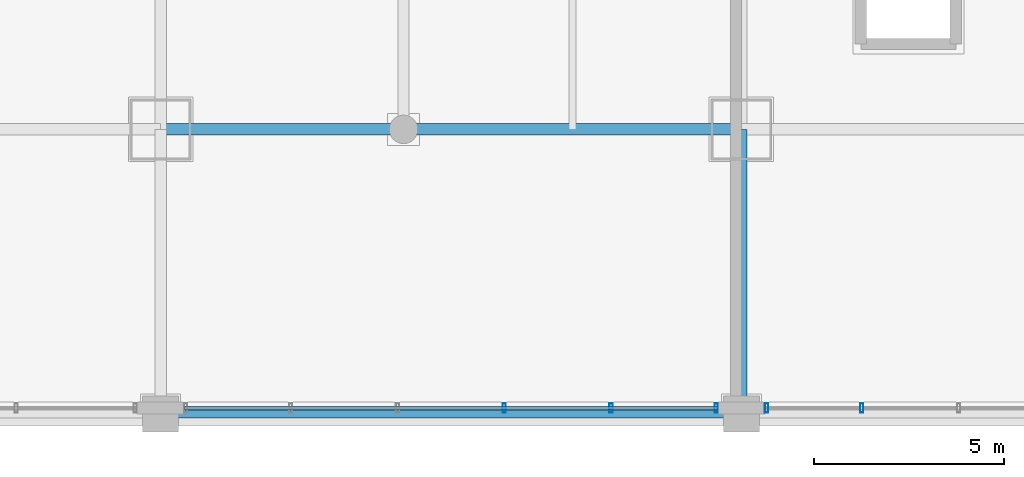
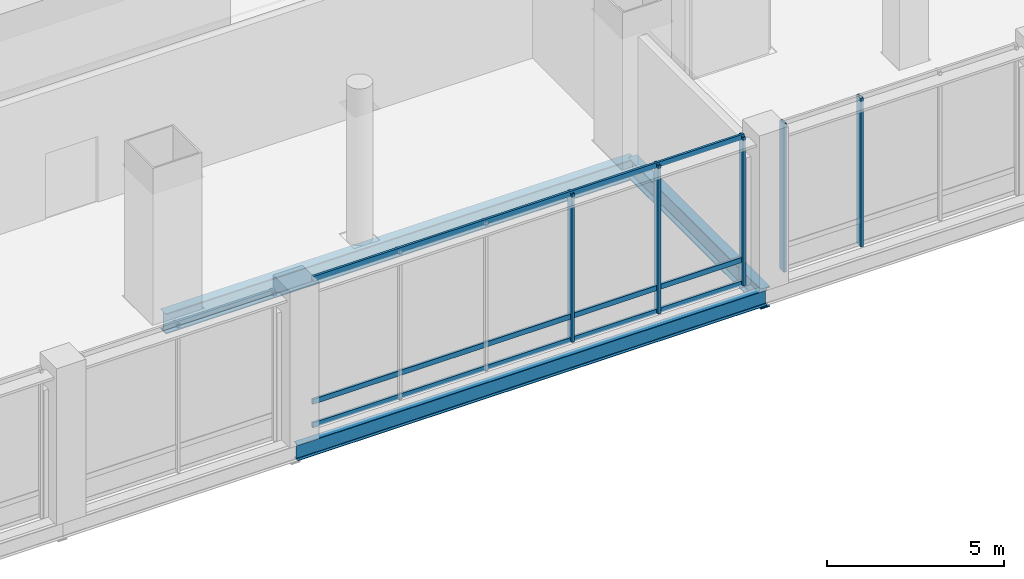
# One storey, part 7 of 39: 8 members, 3 beams, 2 elements without a shape of their own.
"""IFC4 building model written with IfcOpenShell, lengths in metres."""

from ifc_helpers import new_model, si_unit, direction, frame, origin, origin_2d, place, context, subcontext, project, spatial, hollow_rectangle, i_section, extrude, material, material_profile, profile_set, type_object, element, aggregate, save


model = new_model("IFC4")

# Units and contexts
model_context = context("Model", 3, precision=1e-05, world=origin(), true_north=direction((0.0, 1.0)))
body_context = subcontext(model_context, "Body", "Model", "MODEL_VIEW")
ifc_project = project(units=[si_unit("LENGTHUNIT", "METRE"), si_unit("AREAUNIT", "SQUARE_METRE"), si_unit("VOLUMEUNIT", "CUBIC_METRE"), si_unit("PLANEANGLEUNIT", "RADIAN"), si_unit("MASSUNIT", "GRAM", prefix="KILO")], contexts=[model_context])

# Site, building, storey
site_placement = place(None, origin())
site = spatial("IfcSite", under=ifc_project, at=site_placement, CompositionType="ELEMENT")
building_placement = place(site_placement, origin())
building = spatial("IfcBuilding", under=site, at=building_placement, Name="Punatoya Terracotta Tower", CompositionType="ELEMENT")
storey_placement = place(building_placement, frame((0.0, 0.0, 11.39990234375)))
storey = spatial("IfcBuildingStorey", under=building, at=storey_placement, Name="L02", CompositionType="ELEMENT", Elevation=11.39990234375)

# Beams
ifc_material_1 = material(Name="Steel S355", Category="steel")
ifc_material_profile_1 = material_profile(ifc_material_1, i_section(OverallWidth=0.300048828125, OverallDepth=0.699951171875, WebThickness=0.01708984375, FlangeThickness=0.031982421875, FilletRadius=0.01806640625, at=origin_2d()))
ifc_profile_set_1 = profile_set([ifc_material_profile_1], Name="Steel S355")
beam_type_1 = type_object("IfcBeamType", Name="BM-PRI-700", PredefinedType="BEAM", material=ifc_profile_set_1)
beam_1_placement = place(storey_placement, frame((3.800048828125, -17.5, -0.6298828125), z_axis=(1.0, 0.0, 0.0), x_axis=(0.0, 1.0, 0.0)))
element("IfcBeam", 1, at=beam_1_placement, inside=storey, type_object=beam_type_1, Name="BM-L02-RG-S3", PredefinedType="BEAM", context=body_context, shape_type="SweptSolid", body=[
    extrude(i_section(OverallWidth=0.300048828125, OverallDepth=0.699951171875, WebThickness=0.01708984375, FlangeThickness=0.031982421875, FilletRadius=0.01806640625, at=origin_2d()), origin(), (0.0, 0.0, 1.0), 15.300048828125),
])
beam_2_placement = place(storey_placement, frame((19.10009765625, -25.0, -0.6298828125), z_axis=(0.0, 1.0, 0.0), x_axis=(-1.0, 0.0, 0.0)))
element("IfcBeam", 2, at=beam_2_placement, inside=storey, type_object=beam_type_1, Name="BM-L02-M19E--25", PredefinedType="BEAM", context=body_context, shape_type="SweptSolid", body=[
    extrude(i_section(OverallWidth=0.300048828125, OverallDepth=0.699951171875, WebThickness=0.01708984375, FlangeThickness=0.031982421875, FilletRadius=0.01806640625, at=origin_2d()), origin(), (0.0, 0.0, 1.0), 7.5),
])
ifc_material_profile_2 = material_profile(ifc_material_1, i_section(OverallWidth=0.2099609375, OverallDepth=0.550048828125, WebThickness=0.010986328125, FlangeThickness=0.01708984375, FilletRadius=0.01806640625, at=origin_2d()))
ifc_profile_set_2 = profile_set([ifc_material_profile_2], Name="Steel S355")
beam_type_2 = type_object("IfcBeamType", Name="BM-SPN-550", PredefinedType="SPANDREL", material=ifc_profile_set_2)
beam_3_placement = place(storey_placement, frame((3.800048828125, -25.0, -0.554931640625), z_axis=(1.0, 0.0, 0.0), x_axis=(0.0, 1.0, 0.0)))
element("IfcBeam", 3, at=beam_3_placement, inside=storey, type_object=beam_type_2, Name="BM-L02-MIDA-3", PredefinedType="SPANDREL", context=body_context, shape_type="SweptSolid", body=[
    extrude(i_section(OverallWidth=0.2099609375, OverallDepth=0.550048828125, WebThickness=0.010986328125, FlangeThickness=0.01708984375, FilletRadius=0.01806640625, at=origin_2d()), origin(), (0.0, 0.0, 1.0), 15.300048828125),
])

# Curtain wall, members
ifc_material_2 = material(Name="Aluminium 6063-T6 + Double Low-E Glass", Category="aluminium")
curtain_wall_type = type_object("IfcCurtainWallType", Name="CW-POD", PredefinedType="NOTDEFINED", material=ifc_material_2)
curtain_wall_1_placement = place(storey_placement, origin())
curtain_wall_1 = element("IfcCurtainWall", 4, at=curtain_wall_1_placement, inside=storey, type_object=curtain_wall_type, Name="L02 Curtain Wall CWP-L02-S5", PredefinedType="NOTDEFINED")
ifc_material_3 = material(Name="Aluminium 6063-T6", Category="aluminium")
ifc_material_profile_3 = material_profile(ifc_material_3, hollow_rectangle(XDim=0.0849609375, YDim=0.239990234375, WallThickness=0.0048828125, at=origin_2d()))
ifc_profile_set_3 = profile_set([ifc_material_profile_3], Name="Aluminium 6063-T6")
member_type_1 = type_object("IfcMemberType", Name="CW-MUL-POD", PredefinedType="MULLION", material=ifc_profile_set_3)
member_1_placement = place(storey_placement, frame((12.85595703125, -24.840087890625, 0.0), z_axis=(0.0, 0.0, 1.0), x_axis=(1.0, 0.0, 0.0)))
member_1 = element("IfcMember", 5, at=member_1_placement, type_object=member_type_1, Name="CWP-L02-S5 Mullion 03", PredefinedType="MULLION", context=body_context, shape_type="SweptSolid", body=[
    extrude(hollow_rectangle(XDim=0.0849609375, YDim=0.239990234375, WallThickness=0.0048828125, at=origin_2d()), origin(), (0.0, 0.0, 1.0), 5.1201171875),
])
member_2_placement = place(storey_placement, frame((15.66796875, -24.840087890625, 0.0), z_axis=(0.0, 0.0, 1.0), x_axis=(1.0, 0.0, 0.0)))
member_2 = element("IfcMember", 6, at=member_2_placement, type_object=member_type_1, Name="CWP-L02-S5 Mullion 04", PredefinedType="MULLION", context=body_context, shape_type="SweptSolid", body=[
    extrude(hollow_rectangle(XDim=0.0849609375, YDim=0.239990234375, WallThickness=0.0048828125, at=origin_2d()), origin(), (0.0, 0.0, 1.0), 5.1201171875),
])
member_3_placement = place(storey_placement, frame((18.43505859375, -24.840087890625, 0.0), z_axis=(0.0, 0.0, 1.0), x_axis=(1.0, 0.0, 0.0)))
member_3 = element("IfcMember", 7, at=member_3_placement, type_object=member_type_1, Name="CWP-L02-S5 Mullion 05", PredefinedType="MULLION", context=body_context, shape_type="SweptSolid", body=[
    extrude(hollow_rectangle(XDim=0.0849609375, YDim=0.239990234375, WallThickness=0.0048828125, at=origin_2d()), origin(), (0.0, 0.0, 1.0), 5.1201171875),
])

curtain_wall_2_placement = place(storey_placement, origin())
curtain_wall_2 = element("IfcCurtainWall", 8, at=curtain_wall_2_placement, inside=storey, type_object=curtain_wall_type, Name="L02 Curtain Wall CWP-L02-S6", PredefinedType="NOTDEFINED")
member_4_placement = place(storey_placement, frame((19.764892578125, -24.840087890625, 0.0), z_axis=(0.0, 0.0, 1.0), x_axis=(1.0, 0.0, 0.0)))
member_4 = element("IfcMember", 9, at=member_4_placement, type_object=member_type_1, Name="CWP-L02-S6 Mullion 00", PredefinedType="MULLION", context=body_context, shape_type="SweptSolid", body=[
    extrude(hollow_rectangle(XDim=0.0849609375, YDim=0.239990234375, WallThickness=0.0048828125, at=origin_2d()), origin(), (0.0, 0.0, 1.0), 5.1201171875),
])
member_5_placement = place(storey_placement, frame((22.273193359375, -24.840087890625, 0.0), z_axis=(0.0, 0.0, 1.0), x_axis=(1.0, 0.0, 0.0)))
member_5 = element("IfcMember", 10, at=member_5_placement, type_object=member_type_1, Name="CWP-L02-S6 Mullion 01", PredefinedType="MULLION", context=body_context, shape_type="SweptSolid", body=[
    extrude(hollow_rectangle(XDim=0.0849609375, YDim=0.239990234375, WallThickness=0.0048828125, at=origin_2d()), origin(), (0.0, 0.0, 1.0), 5.1201171875),
])
aggregate(curtain_wall_2, [member_4, member_5])

# Member
ifc_material_profile_4 = material_profile(ifc_material_3, hollow_rectangle(XDim=0.074951171875, YDim=0.175048828125, WallThickness=0.00439453125, at=origin_2d()))
ifc_profile_set_4 = profile_set([ifc_material_profile_4], Name="Aluminium 6063-T6")
member_type_2 = type_object("IfcMemberType", Name="CW-TRN-POD", PredefinedType="USERDEFINED", material=ifc_profile_set_4)
member_6_placement = place(storey_placement, frame((4.419921875, -24.840087890625, 0.0400390625), z_axis=(1.0, 0.0, 0.0), x_axis=(0.0, 1.0, 0.0)))
member_6 = element("IfcMember", 11, at=member_6_placement, type_object=member_type_2, Name="CWP-L02-S5 Transom 1", ObjectType="TRANSOM", PredefinedType="USERDEFINED", context=body_context, shape_type="SweptSolid", body=[
    extrude(hollow_rectangle(XDim=0.074951171875, YDim=0.175048828125, WallThickness=0.00439453125, at=origin_2d()), origin(), (0.0, 0.0, 1.0), 14.06005859375),
])

member_7_placement = place(storey_placement, frame((4.419921875, -24.840087890625, 0.85009765625), z_axis=(1.0, 0.0, 0.0), x_axis=(0.0, 1.0, 0.0)))
member_7 = element("IfcMember", 12, at=member_7_placement, type_object=member_type_2, Name="CWP-L02-S5 Transom 2", ObjectType="TRANSOM", PredefinedType="USERDEFINED", context=body_context, shape_type="SweptSolid", body=[
    extrude(hollow_rectangle(XDim=0.074951171875, YDim=0.175048828125, WallThickness=0.00439453125, at=origin_2d()), origin(), (0.0, 0.0, 1.0), 14.06005859375),
])

member_8_placement = place(storey_placement, frame((4.419921875, -24.840087890625, 5.080078125), z_axis=(1.0, 0.0, 0.0), x_axis=(0.0, 1.0, 0.0)))
member_8 = element("IfcMember", 13, at=member_8_placement, type_object=member_type_2, Name="CWP-L02-S5 Transom 3", ObjectType="TRANSOM", PredefinedType="USERDEFINED", context=body_context, shape_type="SweptSolid", body=[
    extrude(hollow_rectangle(XDim=0.074951171875, YDim=0.175048828125, WallThickness=0.00439453125, at=origin_2d()), origin(), (0.0, 0.0, 1.0), 14.06005859375),
])

aggregate(curtain_wall_1, [member_1, member_2, member_3, member_6, member_7, member_8])

save(model, "model.ifc")
